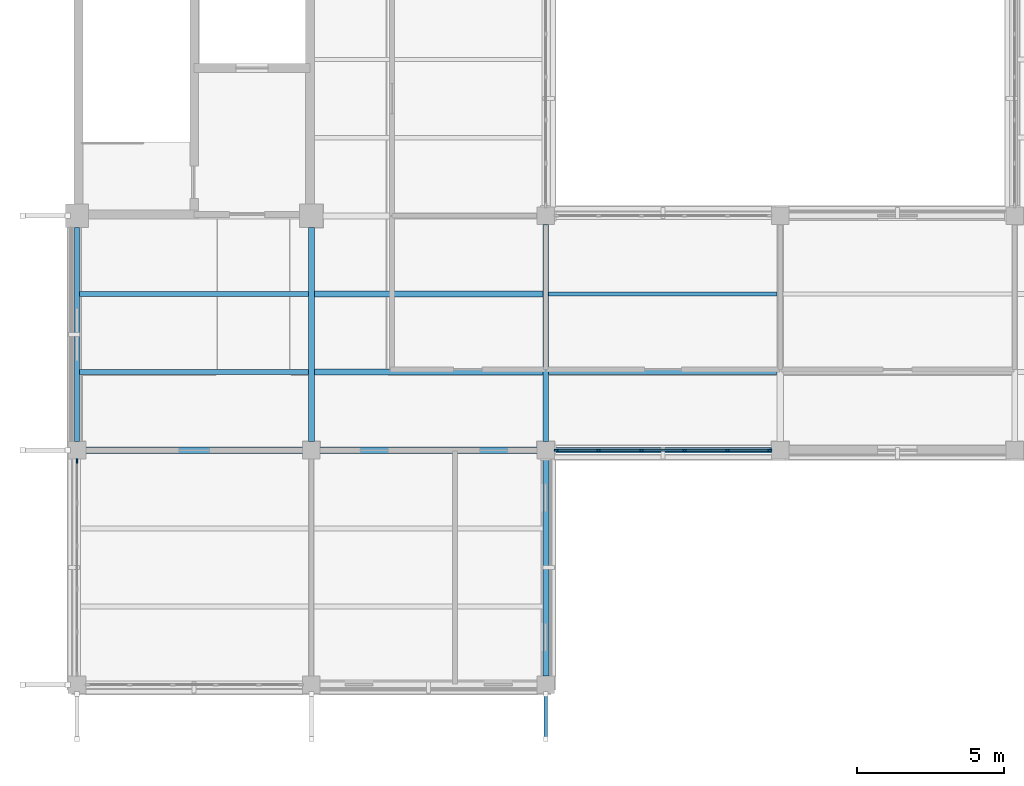
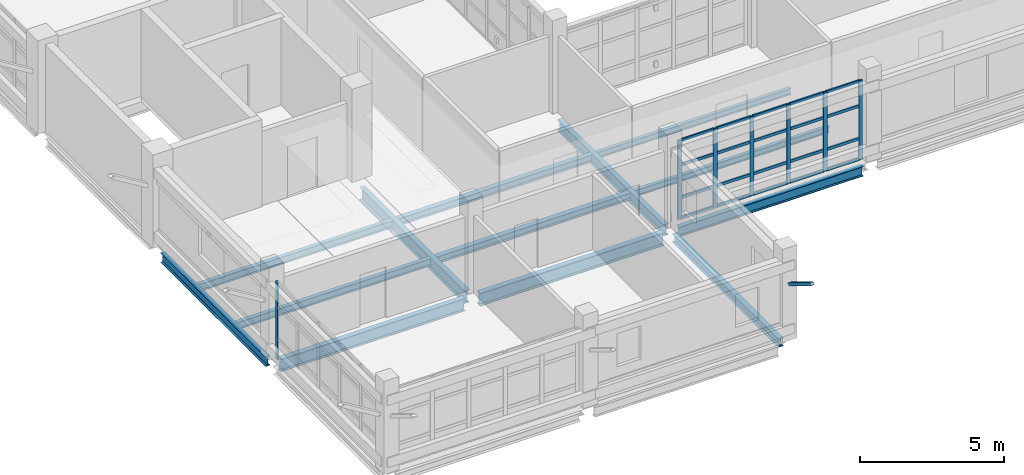
# One storey, part 7 of 126: 28 members, 13 beams, 2 elements without a shape of their own.
"""IFC4 building model written with IfcOpenShell, lengths in metres."""

import ifcopenshell
import ifcopenshell.guid

model = None  # the IFC model being written
_history = None  # IfcOwnerHistory: only IFC2X3 demands one
_inside = {}  # id of a spatial element -> (the spatial element, [elements in it])
_under = {}  # id of a project, library or spatial element -> (it, [spatial elements below it])
_declared = {}  # id of a project -> (the project, [libraries it declares])
_typed = {}  # id of a type object -> (the type object, [elements of that type])
_made_of = {}  # id of a material, layer set ... -> (it, [elements and type objects made of it])


def new_model(schema):
    """Start an empty IFC model of exactly this schema.

    Asked for "IFC4X3", IfcOpenShell would pick the latest addendum, in which some entities
    have other attributes; the version numbers below select the first issue.
    IFC2X3 requires an IfcOwnerHistory on every rooted entity: one is made here for all.
    """
    global model, _history
    if schema == "IFC4X3":
        model = ifcopenshell.file(schema_version=(4, 3, 0, 0))
    else:
        model = ifcopenshell.file(schema=schema)
    _inside.clear()
    _under.clear()
    _declared.clear()
    _typed.clear()
    _made_of.clear()
    _history = None
    if model.schema == "IFC2X3":
        org = make("IfcOrganization", Name="unknown")
        user = make(
            "IfcPersonAndOrganization",
            ThePerson=make("IfcPerson", FamilyName="unknown"),
            TheOrganization=org,
        )
        app = make(
            "IfcApplication",
            ApplicationDeveloper=org,
            Version="unknown",
            ApplicationFullName="unknown",
            ApplicationIdentifier="unknown",
        )
        _history = make(
            "IfcOwnerHistory",
            OwningUser=user,
            OwningApplication=app,
            ChangeAction="ADDED",
            CreationDate=0,
        )
    return model


def make(cls, **values):
    """One entity of the class cls with the attributes given. An attribute that is None is left unset."""
    return model.create_entity(
        cls, **{name: value for name, value in values.items() if value is not None}
    )


def rooted(cls, **values):
    """An entity with a GlobalId (a new one), such as an element, a storey or a relation."""
    return make(cls, GlobalId=ifcopenshell.guid.new(), OwnerHistory=_history, **values)


def si_unit(unit_type, name, prefix=None):
    """IfcSIUnit, for example si_unit("LENGTHUNIT", "METRE", prefix="MILLI")."""
    return make("IfcSIUnit", UnitType=unit_type, Prefix=prefix, Name=name)


def derived_unit(unit_type, elements):
    """IfcDerivedUnit: a product of units, each with its exponent."""
    return make(
        "IfcDerivedUnit",
        Elements=[
            make("IfcDerivedUnitElement", Unit=unit, Exponent=power)
            for unit, power in elements
        ],
        UnitType=unit_type,
    )


def assignment(units):
    """IfcUnitAssignment: the units of a project."""
    return None if units is None else make("IfcUnitAssignment", Units=units)


def point(xyz):
    """IfcCartesianPoint."""
    return None if xyz is None else make("IfcCartesianPoint", Coordinates=xyz)


def direction(xyz):
    """IfcDirection."""
    return None if xyz is None else make("IfcDirection", DirectionRatios=xyz)


def frame(location, z_axis=None, x_axis=None):
    """IfcAxis2Placement3D, a coordinate frame: its origin and axes. An axis left out is left unset."""
    return make(
        "IfcAxis2Placement3D",
        Location=point(location),
        Axis=direction(z_axis),
        RefDirection=direction(x_axis),
    )


def frame_2d(location, x_axis=None):
    """IfcAxis2Placement2D, a coordinate frame in the plane: its origin and x axis."""
    return make(
        "IfcAxis2Placement2D", Location=point(location), RefDirection=direction(x_axis)
    )


def origin():
    """The frame at (0, 0, 0) with its axes left unset."""
    return frame((0.0, 0.0, 0.0))


def origin_2d():
    """The frame at (0, 0) in the plane with its x axis left unset."""
    return frame_2d((0.0, 0.0))


def place(relative_to, where):
    """IfcLocalPlacement: puts the frame where relative to a parent placement (None: the world)."""
    return make(
        "IfcLocalPlacement", PlacementRelTo=relative_to, RelativePlacement=where
    )


def context(
    kind, dimensions, precision=None, world=None, true_north=None, identifier=None
):
    """IfcGeometricRepresentationContext, for example the 3D "Model" context."""
    return make(
        "IfcGeometricRepresentationContext",
        ContextIdentifier=identifier,
        ContextType=kind,
        CoordinateSpaceDimension=dimensions,
        Precision=precision,
        WorldCoordinateSystem=world,
        TrueNorth=true_north,
    )


def subcontext(parent, identifier, kind, view, scale=None):
    """IfcGeometricRepresentationSubContext, for example "Body" below "Model"."""
    return make(
        "IfcGeometricRepresentationSubContext",
        ContextIdentifier=identifier,
        ContextType=kind,
        ParentContext=parent,
        TargetScale=scale,
        TargetView=view,
    )


def project(units=None, contexts=None):
    """IfcProject with its units and contexts."""
    return rooted(
        "IfcProject",
        Name="project",
        RepresentationContexts=contexts,
        UnitsInContext=assignment(units),
    )


def spatial(cls, under=None, at=None, **own):
    """A site, building, storey or space (cls), placed at a placement, below another one or the project."""
    s = rooted(cls, ObjectPlacement=at, **own)
    if under is not None:
        _under.setdefault(under.id(), (under, []))[1].append(s)
    return s


def profile(cls, at=None, kind="AREA", **sizes):
    """A parametric profile (cls). Its sizes go by their IFC names, for example OverallWidth=200.0."""
    return make(cls, ProfileType=kind, Position=at, **sizes)


def rectangle(**sizes):
    """IfcRectangleProfileDef."""
    return profile("IfcRectangleProfileDef", **sizes)


def hollow_rectangle(**sizes):
    """IfcRectangleHollowProfileDef."""
    return profile("IfcRectangleHollowProfileDef", **sizes)


def i_section(**sizes):
    """IfcIShapeProfileDef."""
    return profile("IfcIShapeProfileDef", **sizes)


def extrude(swept, where, along, depth):
    """IfcExtrudedAreaSolid: the profile swept, set in the frame where, extruded along a direction by depth."""
    return make(
        "IfcExtrudedAreaSolid",
        SweptArea=swept,
        Position=where,
        ExtrudedDirection=direction(along),
        Depth=depth,
    )


def shape(context_of_items, identifier, shape_type, items):
    """IfcShapeRepresentation: the items that make up one representation, for example the "Body"."""
    return make(
        "IfcShapeRepresentation",
        ContextOfItems=context_of_items,
        RepresentationIdentifier=identifier,
        RepresentationType=shape_type,
        Items=items,
    )


def material(Name=None, Category=None):
    """IfcMaterial."""
    return make("IfcMaterial", Name=Name, Category=Category)


def layer(
    of_material, thickness, ventilated=None, Name=None, Category=None, Priority=None
):
    """IfcMaterialLayer: one layer of a wall or slab, of a material (None: an air gap)."""
    return make(
        "IfcMaterialLayer",
        Material=of_material,
        LayerThickness=thickness,
        IsVentilated=ventilated,
        Name=Name,
        Category=Category,
        Priority=Priority,
    )


def layer_set(layers, Name=None):
    """IfcMaterialLayerSet."""
    return make("IfcMaterialLayerSet", MaterialLayers=layers, LayerSetName=Name)


def material_profile(
    of_material, cross_section, Name=None, Category=None, Priority=None
):
    """IfcMaterialProfile: a cross section and its material."""
    return make(
        "IfcMaterialProfile",
        Name=Name,
        Material=of_material,
        Profile=cross_section,
        Priority=Priority,
        Category=Category,
    )


def profile_set(profiles, Name=None, composite=None):
    """IfcMaterialProfileSet."""
    return make(
        "IfcMaterialProfileSet",
        Name=Name,
        MaterialProfiles=profiles,
        CompositeProfile=composite,
    )


def made_of(thing, what):
    """Note that an element or type object is made of a material, layer set ...; save() writes the relation."""
    if what is not None:
        _made_of.setdefault(what.id(), (what, []))[1].append(thing)
    return thing


def type_object(cls, material=None, **own):
    """A type object (cls), such as IfcWallType, which elements share."""
    return made_of(rooted(cls, **own), material)


def element(
    cls,
    number,
    at=None,
    inside=None,
    cuts=None,
    type_object=None,
    material=None,
    context=None,
    identifier="Body",
    shape_type=None,
    held_by="IfcProductDefinitionShape",
    body=None,
    shapes=None,
    **own,
):
    """One element of the class cls, such as IfcWall. Its Tag is "e" and its number.

    at: its placement. inside: the storey or other place that contains it. cuts: it is an
    opening in that element (IfcRelVoidsElement). A single representation is given by context,
    identifier, shape_type and body (its items); several are given by shapes. held_by: the class
    of the entity that holds the representations. save() writes the other relations.
    """
    e = rooted(cls, Tag="e%d" % number, ObjectPlacement=at, **own)
    if body is not None:
        shapes = [shape(context, identifier, shape_type, body)]
    if shapes is not None:
        e.Representation = make(held_by, Representations=shapes)
    if inside is not None:
        _inside.setdefault(inside.id(), (inside, []))[1].append(e)
    if cuts is not None:
        rooted(
            "IfcRelVoidsElement", RelatingBuildingElement=cuts, RelatedOpeningElement=e
        )
    if type_object is not None:
        _typed.setdefault(type_object.id(), (type_object, []))[1].append(e)
    return made_of(e, material)


def aggregate(whole, parts):
    """IfcRelAggregates: a whole, such as a stair, and the parts it consists of."""
    return rooted("IfcRelAggregates", RelatingObject=whole, RelatedObjects=parts)


def save(model, path):
    """Write the relations noted so far, then the file.

    IfcRelAggregates (storeys below a building ...), IfcRelContainedInSpatialStructure (elements
    in a storey), IfcRelDefinesByType, IfcRelAssociatesMaterial and IfcRelDeclares: one each for
    every whole, place, type object, material and project.
    """
    for whole, parts in _under.values():
        aggregate(whole, parts)
    for where, things in _inside.values():
        rooted(
            "IfcRelContainedInSpatialStructure",
            RelatedElements=things,
            RelatingStructure=where,
        )
    for kind, things in _typed.values():
        rooted("IfcRelDefinesByType", RelatedObjects=things, RelatingType=kind)
    for what, things in _made_of.values():
        rooted("IfcRelAssociatesMaterial", RelatedObjects=things, RelatingMaterial=what)
    for by, libraries in _declared.values():
        rooted("IfcRelDeclares", RelatingContext=by, RelatedDefinitions=libraries)
    model.write(path)


model = new_model("IFC4")

# Units and contexts
model_context = context("Model", 3, precision=1e-05, world=origin(), true_north=direction((0.0, 1.0)))
body_context = subcontext(model_context, "Body", "Model", "MODEL_VIEW")
ifc_project = project(units=[si_unit("LENGTHUNIT", "METRE"), si_unit("AREAUNIT", "SQUARE_METRE"), si_unit("VOLUMEUNIT", "CUBIC_METRE"), si_unit("PLANEANGLEUNIT", "RADIAN"), si_unit("MASSUNIT", "GRAM", prefix="KILO"), derived_unit("THERMALTRANSMITTANCEUNIT", [(si_unit("MASSUNIT", "GRAM", prefix="KILO"), 1), (si_unit("TIMEUNIT", "SECOND"), -3), (si_unit("THERMODYNAMICTEMPERATUREUNIT", "KELVIN"), -1)])], contexts=[model_context])

# Site, building, storey
site_placement = place(None, origin())
site = spatial("IfcSite", under=ifc_project, at=site_placement, CompositionType="ELEMENT")
building_placement = place(site_placement, origin())
building = spatial("IfcBuilding", under=site, at=building_placement, Name="Veyamyaing Civic Hall", CompositionType="ELEMENT")
storey_placement = place(building_placement, frame((0.0, 0.0, 9.89990234375)))
storey = spatial("IfcBuildingStorey", under=building, at=storey_placement, Name="L02", CompositionType="ELEMENT", Elevation=9.89990234375)

# Beams
ifc_material_1 = material(Name="Steel ASTM A992", Category="steel")
ifc_material_profile_1 = material_profile(ifc_material_1, i_section(OverallWidth=0.208984375, OverallDepth=0.532958984375, WebThickness=0.01025390625, FlangeThickness=0.015625, FilletRadius=0.011962890625, at=origin_2d()), Name="W530X92")
ifc_profile_set_1 = profile_set([ifc_material_profile_1], Name="Steel ASTM A992")
beam_type_1 = type_object("IfcBeamType", Name="B-07", PredefinedType="BEAM", material=ifc_profile_set_1)
beam_1_placement = place(storey_placement, frame((0.300048828125, 8.0, -0.551513671875), z_axis=(1.0, 0.0, 0.0), x_axis=(0.0, 1.0, 0.0)))
element("IfcBeam", 1, at=beam_1_placement, inside=storey, type_object=beam_type_1, Name="Girder B-07 L02 Grid B 1-2", PredefinedType="BEAM", context=body_context, shape_type="SweptSolid", body=[
    extrude(i_section(OverallWidth=0.208984375, OverallDepth=0.532958984375, WebThickness=0.01025390625, FlangeThickness=0.015625, FilletRadius=0.011962890625, at=origin_2d()), origin(), (0.0, 0.0, 1.0), 7.39990234375),
])
ifc_material_profile_2 = material_profile(ifc_material_1, i_section(OverallWidth=0.179931640625, OverallDepth=0.4130859375, WebThickness=0.009765625, FlangeThickness=0.01611328125, FilletRadius=0.010009765625, at=origin_2d()), Name="W410X74")
ifc_profile_set_2 = profile_set([ifc_material_profile_2], Name="Steel ASTM A992")
beam_type_2 = type_object("IfcBeamType", Name="B-10", PredefinedType="SPANDREL", material=ifc_profile_set_2)
beam_2_placement = place(storey_placement, frame((0.0, 8.300048828125, -0.491455078125), z_axis=(0.0, 1.0, 0.0), x_axis=(-1.0, 0.0, 0.0)))
element("IfcBeam", 2, at=beam_2_placement, inside=storey, type_object=beam_type_2, Name="Girder B-10 L02 Grid 1 B-C", PredefinedType="SPANDREL", context=body_context, shape_type="SweptSolid", body=[
    extrude(i_section(OverallWidth=0.179931640625, OverallDepth=0.4130859375, WebThickness=0.009765625, FlangeThickness=0.01611328125, FilletRadius=0.010009765625, at=origin_2d()), origin(), (0.0, 0.0, 1.0), 7.300048828125),
])
ifc_material_profile_3 = material_profile(ifc_material_1, i_section(OverallWidth=0.2041015625, OverallDepth=0.35009765625, WebThickness=0.0078125, FlangeThickness=0.01513671875, FilletRadius=0.010009765625, at=origin_2d()), Name="W360X72")
ifc_profile_set_3 = profile_set([ifc_material_profile_3], Name="Steel ASTM A992")
beam_type_3 = type_object("IfcBeamType", Name="B-11", PredefinedType="SPANDREL", material=ifc_profile_set_3)
beam_3_placement = place(storey_placement, frame((16.0, 0.300048828125, -0.4599609375), z_axis=(0.0, 1.0, 0.0), x_axis=(-1.0, 0.0, 0.0)))
element("IfcBeam", 3, at=beam_3_placement, inside=storey, type_object=beam_type_3, Name="Girder B-11 L02 Grid 3 A-B", PredefinedType="SPANDREL", context=body_context, shape_type="SweptSolid", body=[
    extrude(i_section(OverallWidth=0.2041015625, OverallDepth=0.35009765625, WebThickness=0.0078125, FlangeThickness=0.01513671875, FilletRadius=0.010009765625, at=origin_2d()), origin(), (0.0, 0.0, 1.0), 7.39990234375),
])
ifc_material_profile_4 = material_profile(ifc_material_1, i_section(OverallWidth=0.214111328125, OverallDepth=0.549072265625, WebThickness=0.0146484375, FlangeThickness=0.023681640625, FilletRadius=0.011962890625, at=origin_2d()), Name="W530X138")
ifc_profile_set_4 = profile_set([ifc_material_profile_4], Name="Steel ASTM A992")
beam_type_4 = type_object("IfcBeamType", Name="B-16", PredefinedType="BEAM", material=ifc_profile_set_4)
beam_4_placement = place(storey_placement, frame((8.300048828125, 8.0, -0.559326171875), z_axis=(1.0, 0.0, 0.0), x_axis=(0.0, 1.0, 0.0)))
element("IfcBeam", 4, at=beam_4_placement, inside=storey, type_object=beam_type_4, Name="Girder B-16 L02 Grid B 2-3", PredefinedType="BEAM", context=body_context, shape_type="SweptSolid", body=[
    extrude(i_section(OverallWidth=0.214111328125, OverallDepth=0.549072265625, WebThickness=0.0146484375, FlangeThickness=0.023681640625, FilletRadius=0.011962890625, at=origin_2d()), origin(), (0.0, 0.0, 1.0), 7.39990234375),
])
ifc_material_profile_5 = material_profile(ifc_material_1, i_section(OverallWidth=0.2109375, OverallDepth=0.5390625, WebThickness=0.01171875, FlangeThickness=0.018798828125, FilletRadius=0.011962890625, at=origin_2d()), Name="W530X109")
ifc_profile_set_5 = profile_set([ifc_material_profile_5], Name="Steel ASTM A992")
beam_type_5 = type_object("IfcBeamType", Name="B-17", PredefinedType="BEAM", material=ifc_profile_set_5)
beam_5_placement = place(storey_placement, frame((8.0, 8.300048828125, -0.554443359375), z_axis=(0.0, 1.0, 0.0), x_axis=(-1.0, 0.0, 0.0)))
element("IfcBeam", 5, at=beam_5_placement, inside=storey, type_object=beam_type_5, Name="Girder B-17 L02 Grid 2 B-C", PredefinedType="BEAM", context=body_context, shape_type="SweptSolid", body=[
    extrude(i_section(OverallWidth=0.2109375, OverallDepth=0.5390625, WebThickness=0.01171875, FlangeThickness=0.018798828125, FilletRadius=0.011962890625, at=origin_2d()), origin(), (0.0, 0.0, 1.0), 7.300048828125),
])
ifc_material_profile_6 = material_profile(ifc_material_1, i_section(OverallWidth=0.194091796875, OverallDepth=0.468994140625, WebThickness=0.0126953125, FlangeThickness=0.0205078125, FilletRadius=0.010009765625, at=origin_2d()), Name="W460X106")
ifc_profile_set_6 = profile_set([ifc_material_profile_6], Name="Steel ASTM A992")
beam_type_6 = type_object("IfcBeamType", Name="B-18", PredefinedType="BEAM", material=ifc_profile_set_6)
beam_6_placement = place(storey_placement, frame((16.0, 8.300048828125, -0.519287109375), z_axis=(0.0, 1.0, 0.0), x_axis=(-1.0, 0.0, 0.0)))
element("IfcBeam", 6, at=beam_6_placement, inside=storey, type_object=beam_type_6, Name="Girder B-18 L02 Grid 3 B-C", PredefinedType="BEAM", context=body_context, shape_type="SweptSolid", body=[
    extrude(i_section(OverallWidth=0.194091796875, OverallDepth=0.468994140625, WebThickness=0.0126953125, FlangeThickness=0.0205078125, FilletRadius=0.010009765625, at=origin_2d()), origin(), (0.0, 0.0, 1.0), 7.39990234375),
])
ifc_material_profile_7 = material_profile(ifc_material_1, i_section(OverallWidth=0.180908203125, OverallDepth=0.4169921875, WebThickness=0.010986328125, FlangeThickness=0.018310546875, FilletRadius=0.010009765625, at=origin_2d()), Name="W410X85")
ifc_profile_set_7 = profile_set([ifc_material_profile_7], Name="Steel ASTM A992")
beam_type_7 = type_object("IfcBeamType", Name="B-19", PredefinedType="SPANDREL", material=ifc_profile_set_7)
beam_7_placement = place(storey_placement, frame((16.300048828125, 8.0, -0.493408203125), z_axis=(1.0, 0.0, 0.0), x_axis=(0.0, 1.0, 0.0)))
element("IfcBeam", 7, at=beam_7_placement, inside=storey, type_object=beam_type_7, Name="Girder B-19 L02 Grid B 3-4", PredefinedType="SPANDREL", context=body_context, shape_type="SweptSolid", body=[
    extrude(i_section(OverallWidth=0.180908203125, OverallDepth=0.4169921875, WebThickness=0.010986328125, FlangeThickness=0.018310546875, FilletRadius=0.010009765625, at=origin_2d()), origin(), (0.0, 0.0, 1.0), 7.39990234375),
])

# Curtain wall, member
ifc_material_2 = material(Name="Anodised aluminium 6063-T6", Category="aluminium")
ifc_layer = layer(ifc_material_2, 0.159912109375, Name="Anodised aluminium 6063-T6")
ifc_layer_set = layer_set([ifc_layer], Name="Anodised aluminium 6063-T6")
curtain_wall_type = type_object("IfcCurtainWallType", Name="CW-03", PredefinedType="NOTDEFINED", material=ifc_layer_set)
curtain_wall_1_placement = place(storey_placement, origin())
curtain_wall_1 = element("IfcCurtainWall", 8, at=curtain_wall_1_placement, inside=storey, type_object=curtain_wall_type, Name="Unitized curtain wall CW-03 L02 W 1.1", PredefinedType="NOTDEFINED")
ifc_material_profile_8 = material_profile(ifc_material_2, rectangle(XDim=0.06494140625, YDim=0.159912109375, at=origin_2d()), Name="ALU-MUL-65X160")
ifc_profile_set_8 = profile_set([ifc_material_profile_8], Name="Anodised aluminium 6063-T6")
member_type_1 = type_object("IfcMemberType", Name="CWM-01", PredefinedType="MULLION", material=ifc_profile_set_8)
member_1_placement = place(storey_placement, frame((0.0, 7.637451171875, 0.0), z_axis=(0.0, 0.0, 1.0), x_axis=(-1.0, 0.0, 0.0)))
member_1 = element("IfcMember", 9, at=member_1_placement, type_object=member_type_1, Name="CW-03 mullion 6", PredefinedType="MULLION", context=body_context, shape_type="SweptSolid", body=[
    extrude(rectangle(XDim=0.06494140625, YDim=0.159912109375, at=origin_2d()), origin(), (0.0, 0.0, 1.0), 3.299072265625),
])
aggregate(curtain_wall_1, [member_1])

# Curtain wall, members
curtain_wall_2_placement = place(storey_placement, origin())
curtain_wall_2 = element("IfcCurtainWall", 10, at=curtain_wall_2_placement, inside=storey, type_object=curtain_wall_type, Name="Unitized curtain wall CW-03 L02 S 3.2", PredefinedType="NOTDEFINED")
member_2_placement = place(storey_placement, frame((16.362548828125, 8.0, 0.0), z_axis=(0.0, 0.0, 1.0), x_axis=(0.0, 1.0, 0.0)))
member_2 = element("IfcMember", 11, at=member_2_placement, type_object=member_type_1, Name="CW-03 mullion 1", PredefinedType="MULLION", context=body_context, shape_type="SweptSolid", body=[
    extrude(rectangle(XDim=0.06494140625, YDim=0.159912109375, at=origin_2d()), origin(), (0.0, 0.0, 1.0), 3.359130859375),
])
member_3_placement = place(storey_placement, frame((17.798095703125, 8.0, 0.0), z_axis=(0.0, 0.0, 1.0), x_axis=(0.0, 1.0, 0.0)))
member_3 = element("IfcMember", 12, at=member_3_placement, type_object=member_type_1, Name="CW-03 mullion 2", PredefinedType="MULLION", context=body_context, shape_type="SweptSolid", body=[
    extrude(rectangle(XDim=0.06494140625, YDim=0.159912109375, at=origin_2d()), origin(), (0.0, 0.0, 1.0), 3.359130859375),
])
member_4_placement = place(storey_placement, frame((19.26611328125, 8.0, 0.0), z_axis=(0.0, 0.0, 1.0), x_axis=(0.0, 1.0, 0.0)))
member_4 = element("IfcMember", 13, at=member_4_placement, type_object=member_type_1, Name="CW-03 mullion 3", PredefinedType="MULLION", context=body_context, shape_type="SweptSolid", body=[
    extrude(rectangle(XDim=0.06494140625, YDim=0.159912109375, at=origin_2d()), origin(), (0.0, 0.0, 1.0), 3.359130859375),
])
member_5_placement = place(storey_placement, frame((20.73388671875, 8.0, 0.0), z_axis=(0.0, 0.0, 1.0), x_axis=(0.0, 1.0, 0.0)))
member_5 = element("IfcMember", 14, at=member_5_placement, type_object=member_type_1, Name="CW-03 mullion 4", PredefinedType="MULLION", context=body_context, shape_type="SweptSolid", body=[
    extrude(rectangle(XDim=0.06494140625, YDim=0.159912109375, at=origin_2d()), origin(), (0.0, 0.0, 1.0), 3.359130859375),
])
member_6_placement = place(storey_placement, frame((22.201904296875, 8.0, 0.0), z_axis=(0.0, 0.0, 1.0), x_axis=(0.0, 1.0, 0.0)))
member_6 = element("IfcMember", 15, at=member_6_placement, type_object=member_type_1, Name="CW-03 mullion 5", PredefinedType="MULLION", context=body_context, shape_type="SweptSolid", body=[
    extrude(rectangle(XDim=0.06494140625, YDim=0.159912109375, at=origin_2d()), origin(), (0.0, 0.0, 1.0), 3.359130859375),
])
member_7_placement = place(storey_placement, frame((23.637451171875, 8.0, 0.0), z_axis=(0.0, 0.0, 1.0), x_axis=(0.0, 1.0, 0.0)))
member_7 = element("IfcMember", 16, at=member_7_placement, type_object=member_type_1, Name="CW-03 mullion 6", PredefinedType="MULLION", context=body_context, shape_type="SweptSolid", body=[
    extrude(rectangle(XDim=0.06494140625, YDim=0.159912109375, at=origin_2d()), origin(), (0.0, 0.0, 1.0), 3.359130859375),
])
ifc_material_profile_9 = material_profile(ifc_material_2, rectangle(XDim=0.06494140625, YDim=0.1201171875, at=origin_2d()), Name="ALU-TRN-65X120")
ifc_profile_set_9 = profile_set([ifc_material_profile_9], Name="Anodised aluminium 6063-T6")
member_type_2 = type_object("IfcMemberType", Name="CWT-01", PredefinedType="USERDEFINED", material=ifc_profile_set_9)
member_8_placement = place(storey_placement, frame((16.39501953125, 8.0, 0.03271484375), z_axis=(1.0, 0.0, 0.0), x_axis=(0.0, 1.0, 0.0)))
member_8 = element("IfcMember", 17, at=member_8_placement, type_object=member_type_2, Name="CW-03 transom 1.1", ObjectType="TRANSOM", PredefinedType="USERDEFINED", context=body_context, shape_type="SweptSolid", body=[
    extrude(rectangle(XDim=0.06494140625, YDim=0.1201171875, at=origin_2d()), origin(), (0.0, 0.0, 1.0), 1.370361328125),
])
member_9_placement = place(storey_placement, frame((16.39501953125, 8.0, 0.900146484375), z_axis=(1.0, 0.0, 0.0), x_axis=(0.0, 1.0, 0.0)))
member_9 = element("IfcMember", 18, at=member_9_placement, type_object=member_type_2, Name="CW-03 transom 1.2", ObjectType="TRANSOM", PredefinedType="USERDEFINED", context=body_context, shape_type="SweptSolid", body=[
    extrude(rectangle(XDim=0.06494140625, YDim=0.1201171875, at=origin_2d()), origin(), (0.0, 0.0, 1.0), 1.370361328125),
])
member_10_placement = place(storey_placement, frame((16.39501953125, 8.0, 2.2841796875), z_axis=(1.0, 0.0, 0.0), x_axis=(0.0, 1.0, 0.0)))
member_10 = element("IfcMember", 19, at=member_10_placement, type_object=member_type_2, Name="CW-03 transom 1.3", ObjectType="TRANSOM", PredefinedType="USERDEFINED", context=body_context, shape_type="SweptSolid", body=[
    extrude(rectangle(XDim=0.06494140625, YDim=0.1201171875, at=origin_2d()), origin(), (0.0, 0.0, 1.0), 1.370361328125),
])
member_11_placement = place(storey_placement, frame((16.39501953125, 8.0, 3.32666015625), z_axis=(1.0, 0.0, 0.0), x_axis=(0.0, 1.0, 0.0)))
member_11 = element("IfcMember", 20, at=member_11_placement, type_object=member_type_2, Name="CW-03 transom 1.4", ObjectType="TRANSOM", PredefinedType="USERDEFINED", context=body_context, shape_type="SweptSolid", body=[
    extrude(rectangle(XDim=0.06494140625, YDim=0.1201171875, at=origin_2d()), origin(), (0.0, 0.0, 1.0), 1.370361328125),
])
member_12_placement = place(storey_placement, frame((17.83056640625, 8.0, 0.03271484375), z_axis=(1.0, 0.0, 0.0), x_axis=(0.0, 1.0, 0.0)))
member_12 = element("IfcMember", 21, at=member_12_placement, type_object=member_type_2, Name="CW-03 transom 2.1", ObjectType="TRANSOM", PredefinedType="USERDEFINED", context=body_context, shape_type="SweptSolid", body=[
    extrude(rectangle(XDim=0.06494140625, YDim=0.1201171875, at=origin_2d()), origin(), (0.0, 0.0, 1.0), 1.40283203125),
])
member_13_placement = place(storey_placement, frame((17.83056640625, 8.0, 0.900146484375), z_axis=(1.0, 0.0, 0.0), x_axis=(0.0, 1.0, 0.0)))
member_13 = element("IfcMember", 22, at=member_13_placement, type_object=member_type_2, Name="CW-03 transom 2.2", ObjectType="TRANSOM", PredefinedType="USERDEFINED", context=body_context, shape_type="SweptSolid", body=[
    extrude(rectangle(XDim=0.06494140625, YDim=0.1201171875, at=origin_2d()), origin(), (0.0, 0.0, 1.0), 1.40283203125),
])
member_14_placement = place(storey_placement, frame((17.83056640625, 8.0, 2.2841796875), z_axis=(1.0, 0.0, 0.0), x_axis=(0.0, 1.0, 0.0)))
member_14 = element("IfcMember", 23, at=member_14_placement, type_object=member_type_2, Name="CW-03 transom 2.3", ObjectType="TRANSOM", PredefinedType="USERDEFINED", context=body_context, shape_type="SweptSolid", body=[
    extrude(rectangle(XDim=0.06494140625, YDim=0.1201171875, at=origin_2d()), origin(), (0.0, 0.0, 1.0), 1.40283203125),
])
member_15_placement = place(storey_placement, frame((17.83056640625, 8.0, 3.32666015625), z_axis=(1.0, 0.0, 0.0), x_axis=(0.0, 1.0, 0.0)))
member_15 = element("IfcMember", 24, at=member_15_placement, type_object=member_type_2, Name="CW-03 transom 2.4", ObjectType="TRANSOM", PredefinedType="USERDEFINED", context=body_context, shape_type="SweptSolid", body=[
    extrude(rectangle(XDim=0.06494140625, YDim=0.1201171875, at=origin_2d()), origin(), (0.0, 0.0, 1.0), 1.40283203125),
])
member_16_placement = place(storey_placement, frame((19.298583984375, 8.0, 0.03271484375), z_axis=(1.0, 0.0, 0.0), x_axis=(0.0, 1.0, 0.0)))
member_16 = element("IfcMember", 25, at=member_16_placement, type_object=member_type_2, Name="CW-03 transom 3.1", ObjectType="TRANSOM", PredefinedType="USERDEFINED", context=body_context, shape_type="SweptSolid", body=[
    extrude(rectangle(XDim=0.06494140625, YDim=0.1201171875, at=origin_2d()), origin(), (0.0, 0.0, 1.0), 1.40283203125),
])
member_17_placement = place(storey_placement, frame((19.298583984375, 8.0, 0.900146484375), z_axis=(1.0, 0.0, 0.0), x_axis=(0.0, 1.0, 0.0)))
member_17 = element("IfcMember", 26, at=member_17_placement, type_object=member_type_2, Name="CW-03 transom 3.2", ObjectType="TRANSOM", PredefinedType="USERDEFINED", context=body_context, shape_type="SweptSolid", body=[
    extrude(rectangle(XDim=0.06494140625, YDim=0.1201171875, at=origin_2d()), origin(), (0.0, 0.0, 1.0), 1.40283203125),
])
member_18_placement = place(storey_placement, frame((19.298583984375, 8.0, 2.2841796875), z_axis=(1.0, 0.0, 0.0), x_axis=(0.0, 1.0, 0.0)))
member_18 = element("IfcMember", 27, at=member_18_placement, type_object=member_type_2, Name="CW-03 transom 3.3", ObjectType="TRANSOM", PredefinedType="USERDEFINED", context=body_context, shape_type="SweptSolid", body=[
    extrude(rectangle(XDim=0.06494140625, YDim=0.1201171875, at=origin_2d()), origin(), (0.0, 0.0, 1.0), 1.40283203125),
])
member_19_placement = place(storey_placement, frame((19.298583984375, 8.0, 3.32666015625), z_axis=(1.0, 0.0, 0.0), x_axis=(0.0, 1.0, 0.0)))
member_19 = element("IfcMember", 28, at=member_19_placement, type_object=member_type_2, Name="CW-03 transom 3.4", ObjectType="TRANSOM", PredefinedType="USERDEFINED", context=body_context, shape_type="SweptSolid", body=[
    extrude(rectangle(XDim=0.06494140625, YDim=0.1201171875, at=origin_2d()), origin(), (0.0, 0.0, 1.0), 1.40283203125),
])
member_20_placement = place(storey_placement, frame((20.7666015625, 8.0, 0.03271484375), z_axis=(1.0, 0.0, 0.0), x_axis=(0.0, 1.0, 0.0)))
member_20 = element("IfcMember", 29, at=member_20_placement, type_object=member_type_2, Name="CW-03 transom 4.1", ObjectType="TRANSOM", PredefinedType="USERDEFINED", context=body_context, shape_type="SweptSolid", body=[
    extrude(rectangle(XDim=0.06494140625, YDim=0.1201171875, at=origin_2d()), origin(), (0.0, 0.0, 1.0), 1.40283203125),
])
member_21_placement = place(storey_placement, frame((20.7666015625, 8.0, 0.900146484375), z_axis=(1.0, 0.0, 0.0), x_axis=(0.0, 1.0, 0.0)))
member_21 = element("IfcMember", 30, at=member_21_placement, type_object=member_type_2, Name="CW-03 transom 4.2", ObjectType="TRANSOM", PredefinedType="USERDEFINED", context=body_context, shape_type="SweptSolid", body=[
    extrude(rectangle(XDim=0.06494140625, YDim=0.1201171875, at=origin_2d()), origin(), (0.0, 0.0, 1.0), 1.40283203125),
])
member_22_placement = place(storey_placement, frame((20.7666015625, 8.0, 2.2841796875), z_axis=(1.0, 0.0, 0.0), x_axis=(0.0, 1.0, 0.0)))
member_22 = element("IfcMember", 31, at=member_22_placement, type_object=member_type_2, Name="CW-03 transom 4.3", ObjectType="TRANSOM", PredefinedType="USERDEFINED", context=body_context, shape_type="SweptSolid", body=[
    extrude(rectangle(XDim=0.06494140625, YDim=0.1201171875, at=origin_2d()), origin(), (0.0, 0.0, 1.0), 1.40283203125),
])
member_23_placement = place(storey_placement, frame((20.7666015625, 8.0, 3.32666015625), z_axis=(1.0, 0.0, 0.0), x_axis=(0.0, 1.0, 0.0)))
member_23 = element("IfcMember", 32, at=member_23_placement, type_object=member_type_2, Name="CW-03 transom 4.4", ObjectType="TRANSOM", PredefinedType="USERDEFINED", context=body_context, shape_type="SweptSolid", body=[
    extrude(rectangle(XDim=0.06494140625, YDim=0.1201171875, at=origin_2d()), origin(), (0.0, 0.0, 1.0), 1.40283203125),
])
member_24_placement = place(storey_placement, frame((22.234619140625, 8.0, 0.03271484375), z_axis=(1.0, 0.0, 0.0), x_axis=(0.0, 1.0, 0.0)))
member_24 = element("IfcMember", 33, at=member_24_placement, type_object=member_type_2, Name="CW-03 transom 5.1", ObjectType="TRANSOM", PredefinedType="USERDEFINED", context=body_context, shape_type="SweptSolid", body=[
    extrude(rectangle(XDim=0.06494140625, YDim=0.1201171875, at=origin_2d()), origin(), (0.0, 0.0, 1.0), 1.370361328125),
])
member_25_placement = place(storey_placement, frame((22.234619140625, 8.0, 0.900146484375), z_axis=(1.0, 0.0, 0.0), x_axis=(0.0, 1.0, 0.0)))
member_25 = element("IfcMember", 34, at=member_25_placement, type_object=member_type_2, Name="CW-03 transom 5.2", ObjectType="TRANSOM", PredefinedType="USERDEFINED", context=body_context, shape_type="SweptSolid", body=[
    extrude(rectangle(XDim=0.06494140625, YDim=0.1201171875, at=origin_2d()), origin(), (0.0, 0.0, 1.0), 1.370361328125),
])
member_26_placement = place(storey_placement, frame((22.234619140625, 8.0, 2.2841796875), z_axis=(1.0, 0.0, 0.0), x_axis=(0.0, 1.0, 0.0)))
member_26 = element("IfcMember", 35, at=member_26_placement, type_object=member_type_2, Name="CW-03 transom 5.3", ObjectType="TRANSOM", PredefinedType="USERDEFINED", context=body_context, shape_type="SweptSolid", body=[
    extrude(rectangle(XDim=0.06494140625, YDim=0.1201171875, at=origin_2d()), origin(), (0.0, 0.0, 1.0), 1.370361328125),
])
member_27_placement = place(storey_placement, frame((22.234619140625, 8.0, 3.32666015625), z_axis=(1.0, 0.0, 0.0), x_axis=(0.0, 1.0, 0.0)))
member_27 = element("IfcMember", 36, at=member_27_placement, type_object=member_type_2, Name="CW-03 transom 5.4", ObjectType="TRANSOM", PredefinedType="USERDEFINED", context=body_context, shape_type="SweptSolid", body=[
    extrude(rectangle(XDim=0.06494140625, YDim=0.1201171875, at=origin_2d()), origin(), (0.0, 0.0, 1.0), 1.370361328125),
])
aggregate(curtain_wall_2, [member_2, member_3, member_4, member_5, member_6, member_7, member_8, member_9, member_10, member_11, member_12, member_13, member_14, member_15, member_16, member_17, member_18, member_19, member_20, member_21, member_22, member_23, member_24, member_25, member_26, member_27])

# Beams
ifc_material_profile_10 = material_profile(ifc_material_1, i_section(OverallWidth=0.1650390625, OverallDepth=0.31005859375, WebThickness=0.005859375, FlangeThickness=0.009765625, FilletRadius=0.010009765625, at=origin_2d()), Name="W310X39")
ifc_profile_set_10 = profile_set([ifc_material_profile_10], Name="Steel ASTM A992")
beam_type_8 = type_object("IfcBeamType", Name="J-05", PredefinedType="JOIST", material=ifc_profile_set_10)
for number, where, z_axis, x_axis, name in (
    (37, (0.087890625, 10.666748046875, -0.43994140625), (1.0, 0.0, 0.0), (0.0, 1.0, 0.0), "Composite floor joist J-05 L02 1.2.1"),
    (38, (0.087890625, 13.333251953125, -0.43994140625), (1.0, 0.0, 0.0), (0.0, 1.0, 0.0), "Composite floor joist J-05 L02 1.2.2"),
):
    element("IfcBeam", number, at=place(storey_placement, frame(where, z_axis=z_axis, x_axis=x_axis)), inside=storey, type_object=beam_type_8, Name=name, PredefinedType="JOIST", context=body_context, shape_type="SweptSolid", body=[
        extrude(i_section(OverallWidth=0.1650390625, OverallDepth=0.31005859375, WebThickness=0.005859375, FlangeThickness=0.009765625, FilletRadius=0.010009765625, at=origin_2d()), origin(), (0.0, 0.0, 1.0), 7.80859375),
    ])
ifc_material_profile_11 = material_profile(ifc_material_1, i_section(OverallWidth=0.2041015625, OverallDepth=0.305908203125, WebThickness=0.008544921875, FlangeThickness=0.0146484375, FilletRadius=0.010009765625, at=origin_2d()), Name="W310X67")
ifc_profile_set_11 = profile_set([ifc_material_profile_11], Name="Steel ASTM A992")
beam_type_9 = type_object("IfcBeamType", Name="J-06", PredefinedType="JOIST", material=ifc_profile_set_11)
for number, where, z_axis, x_axis, name in (
    (39, (8.103515625, 10.666748046875, -0.43798828125), (1.0, 0.0, 0.0), (0.0, 1.0, 0.0), "Composite floor joist J-06 L02 2.2.1"),
    (40, (8.103515625, 13.333251953125, -0.43798828125), (1.0, 0.0, 0.0), (0.0, 1.0, 0.0), "Composite floor joist J-06 L02 2.2.2"),
):
    element("IfcBeam", number, at=place(storey_placement, frame(where, z_axis=z_axis, x_axis=x_axis)), inside=storey, type_object=beam_type_9, Name=name, PredefinedType="JOIST", context=body_context, shape_type="SweptSolid", body=[
        extrude(i_section(OverallWidth=0.2041015625, OverallDepth=0.305908203125, WebThickness=0.008544921875, FlangeThickness=0.0146484375, FilletRadius=0.010009765625, at=origin_2d()), origin(), (0.0, 0.0, 1.0), 7.801513671875),
    ])
ifc_material_profile_12 = material_profile(ifc_material_1, i_section(OverallWidth=0.14794921875, OverallDepth=0.26611328125, WebThickness=0.007568359375, FlangeThickness=0.012939453125, FilletRadius=0.010009765625, at=origin_2d()), Name="W250X45")
ifc_profile_set_12 = profile_set([ifc_material_profile_12], Name="Steel ASTM A992")
beam_type_10 = type_object("IfcBeamType", Name="J-07", PredefinedType="JOIST", material=ifc_profile_set_12)
for number, where, z_axis, x_axis, name in (
    (41, (16.094970703125, 10.666748046875, -0.41796875), (1.0, 0.0, 0.0), (0.0, 1.0, 0.0), "Composite floor joist J-07 L02 3.2.1"),
    (42, (16.094970703125, 13.333251953125, -0.41796875), (1.0, 0.0, 0.0), (0.0, 1.0, 0.0), "Composite floor joist J-07 L02 3.2.2"),
):
    element("IfcBeam", number, at=place(storey_placement, frame(where, z_axis=z_axis, x_axis=x_axis)), inside=storey, type_object=beam_type_10, Name=name, PredefinedType="JOIST", context=body_context, shape_type="SweptSolid", body=[
        extrude(i_section(OverallWidth=0.14794921875, OverallDepth=0.26611328125, WebThickness=0.007568359375, FlangeThickness=0.012939453125, FilletRadius=0.010009765625, at=origin_2d()), origin(), (0.0, 0.0, 1.0), 7.802490234375),
    ])

# Member
ifc_material_3 = material(Name="Steel S355J2", Category="steel")
ifc_material_profile_13 = material_profile(ifc_material_3, hollow_rectangle(XDim=0.126953125, YDim=0.126953125, WallThickness=0.009521484375, at=origin_2d()), Name="HSS127X127X9.5")
ifc_profile_set_13 = profile_set([ifc_material_profile_13], Name="Steel S355J2")
member_type_3 = type_object("IfcMemberType", Name="SR-03", PredefinedType="STRUT", material=ifc_profile_set_13)
member_28_placement = place(storey_placement, frame((16.0, -0.320068359375, 2.41015625), z_axis=(0.0, -0.852059527287, 0.523444898685), x_axis=(1.0, 0.0, 0.0)))
element("IfcMember", 43, at=member_28_placement, inside=storey, type_object=member_type_3, Name="Sacak diagonal steel eave strut SR-03 V2-S.2", PredefinedType="STRUT", context=body_context, shape_type="SweptSolid", body=[
    extrude(hollow_rectangle(XDim=0.126953125, YDim=0.126953125, WallThickness=0.009521484375, at=origin_2d()), origin(), (0.0, 0.0, 1.0), 1.795654296875),
])

save(model, "model.ifc")
